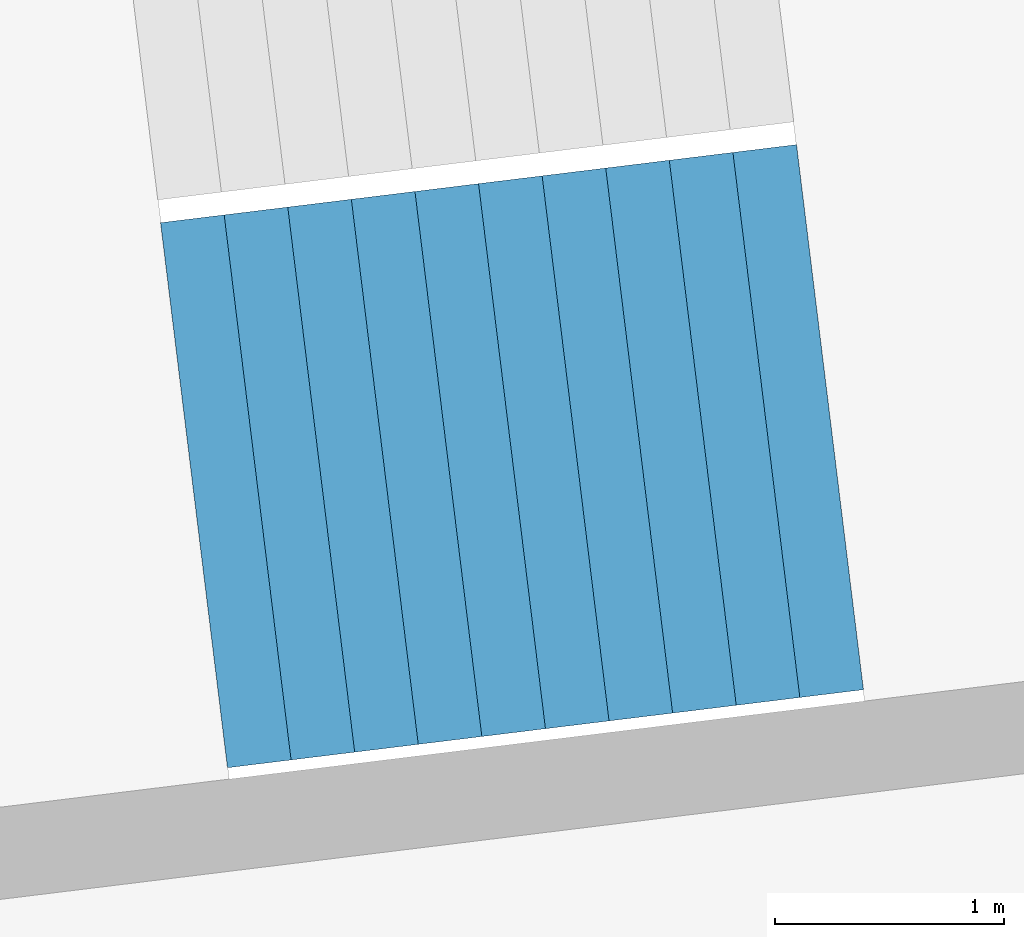
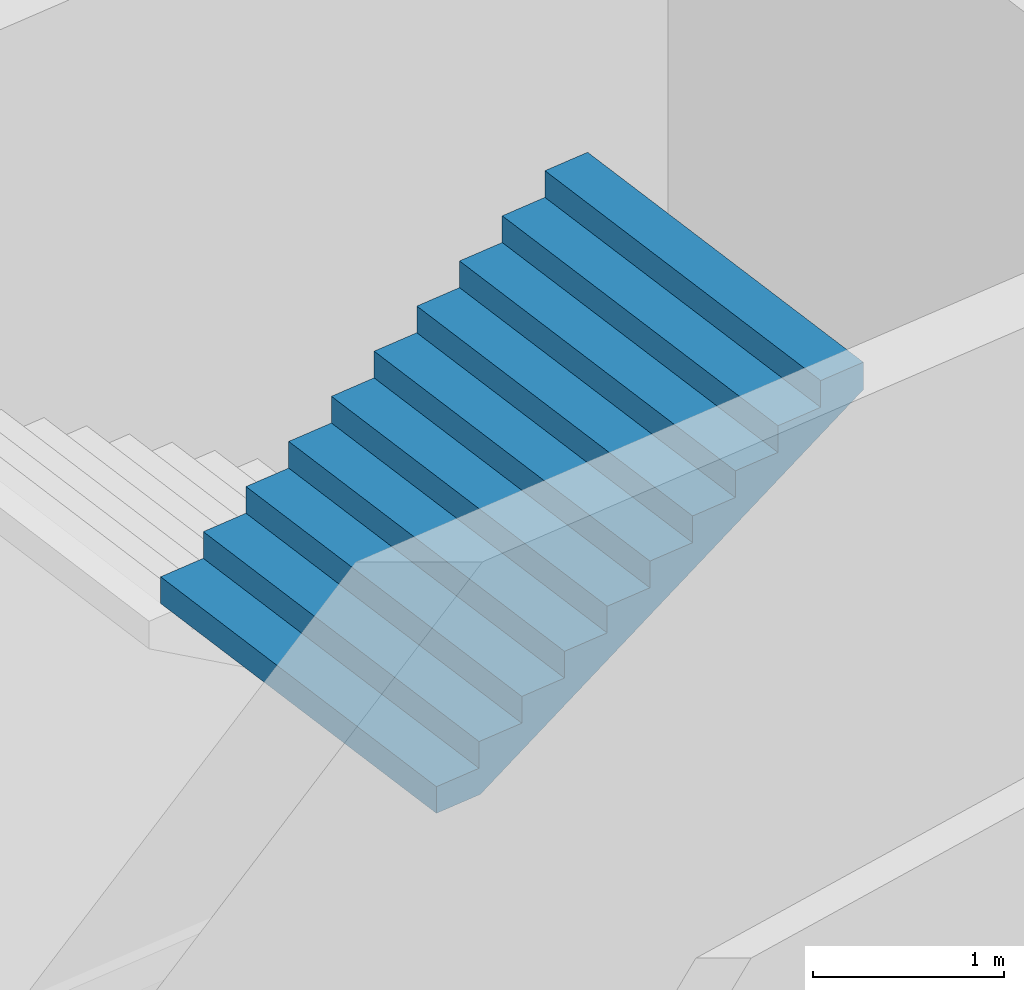
# One storey, part 23 of 73: 1 stair flight, 1 element without a shape of its own.
"""IFC4 building model written with IfcOpenShell, lengths in metres."""

from ifc_helpers import new_model, si_unit, direction, frame, origin, place, context, subcontext, project, spatial, triangles, material, type_object, element, aggregate, save


model = new_model("IFC4")

# Units and contexts
model_context = context("Model", 3, precision=1e-05, world=origin(), true_north=direction((0.0, 1.0)))
body_context = subcontext(model_context, "Body", "Model", "MODEL_VIEW")
ifc_project = project(units=[si_unit("LENGTHUNIT", "METRE"), si_unit("AREAUNIT", "SQUARE_METRE"), si_unit("VOLUMEUNIT", "CUBIC_METRE"), si_unit("PLANEANGLEUNIT", "RADIAN"), si_unit("MASSUNIT", "GRAM", prefix="KILO")], contexts=[model_context])

# Site, building, storey
site_placement = place(None, origin())
site = spatial("IfcSite", under=ifc_project, at=site_placement, CompositionType="ELEMENT")
building_placement = place(site_placement, origin())
building = spatial("IfcBuilding", under=site, at=building_placement, Name="Lantaw Convention Tower", CompositionType="ELEMENT")
storey_placement = place(building_placement, frame((0.0, 0.0, 14.5)))
storey = spatial("IfcBuildingStorey", under=building, at=storey_placement, Name="L02", CompositionType="ELEMENT", Elevation=14.5)

# Stair, stair flight
ifc_material = material(Name="Concrete C35/45", Category="concrete")
stair_type = type_object("IfcStairType", Name="Exit stair 2400 riser 170.45 in 4 flights", PredefinedType="HALF_TURN_STAIR", material=ifc_material)
stair_placement = place(storey_placement, origin())
stair = element("IfcStair", 1, at=stair_placement, inside=storey, type_object=stair_type, Name="Podium exit stair P10 L02", PredefinedType="HALF_TURN_STAIR")
stair_flight_type = type_object("IfcStairFlightType", Name="Stair flight 2400 riser 170.45", PredefinedType="STRAIGHT", material=ifc_material)
stair_flight_placement = place(storey_placement, frame((-37.63671875, -5.880615234375, 5.625), z_axis=(0.0, 0.0, 1.0), x_axis=(0.992546151641, 0.121869343405, 0.0)))
stair_flight = element("IfcStairFlight", 2, at=stair_flight_placement, type_object=stair_flight_type, Name="P10 flight 4", NumberOfRisers=11, NumberOfTreads=10, PredefinedType="STRAIGHT", RiserHeight=0.170454545, TreadLength=0.28, context=body_context, shape_type="Tessellation", body=[
    triangles([(0.0, 1.199951171875, 0.0), (0.0, 1.199951171875, 0.170454545), (0.28, 1.199951171875, 0.0), (0.28, 1.199951171875, 0.170454545), (0.28, 1.199951171875, 0.34090909), (0.28827876332691904, 1.199951171875, 0.0), (0.28827876332691904, 1.199951171875, 0.34090909), (0.56, 1.199951171875, 0.16541471344266906), (0.56, 1.199951171875, 0.34090909), (0.56, 1.199951171875, 0.511363635), (0.8400000000000001, 1.199951171875, 0.335869258442669), (0.8400000000000001, 1.199951171875, 0.511363635), (0.8400000000000001, 1.199951171875, 0.68181818), (1.12, 1.199951171875, 0.506323803442669), (1.12, 1.199951171875, 0.68181818), (1.12, 1.199951171875, 0.8522727250000001), (1.4000000000000001, 1.199951171875, 0.676778348442669), (1.4000000000000001, 1.199951171875, 0.8522727250000001), (1.4000000000000001, 1.199951171875, 1.02272727), (1.6800000000000002, 1.199951171875, 0.847232893442669), (1.6800000000000002, 1.199951171875, 1.02272727), (1.6800000000000002, 1.199951171875, 1.193181815), (1.9600000000000002, 1.199951171875, 1.017687438442669), (1.9600000000000002, 1.199951171875, 1.193181815), (1.9600000000000002, 1.199951171875, 1.36363636), (2.24, 1.199951171875, 1.188141983442669), (2.24, 1.199951171875, 1.36363636), (2.24, 1.199951171875, 1.5340909050000002), (2.5200000000000005, 1.199951171875, 1.358596528442669), (2.5200000000000005, 1.199951171875, 1.5340909050000002), (2.5200000000000005, 1.199951171875, 1.7045454500000001), (2.8000000000000003, 1.199951171875, 1.529051073442669), (2.8000000000000003, 1.199951171875, 1.7045454500000001), (0.0, -1.199951171875, 0.0), (0.0, -1.199951171875, 0.170454545), (0.28, -1.199951171875, 0.0), (0.28, -1.199951171875, 0.170454545), (0.28, -1.199951171875, 0.34090909), (0.28827876332691904, -1.199951171875, 0.0), (0.28827876332691904, -1.199951171875, 0.34090909), (0.56, -1.199951171875, 0.16541471344266906), (0.56, -1.199951171875, 0.34090909), (0.56, -1.199951171875, 0.511363635), (0.8400000000000001, -1.199951171875, 0.335869258442669), (0.8400000000000001, -1.199951171875, 0.511363635), (0.8400000000000001, -1.199951171875, 0.68181818), (1.12, -1.199951171875, 0.506323803442669), (1.12, -1.199951171875, 0.68181818), (1.12, -1.199951171875, 0.8522727250000001), (1.4000000000000001, -1.199951171875, 0.676778348442669), (1.4000000000000001, -1.199951171875, 0.8522727250000001), (1.4000000000000001, -1.199951171875, 1.02272727), (1.6800000000000002, -1.199951171875, 0.847232893442669), (1.6800000000000002, -1.199951171875, 1.02272727), (1.6800000000000002, -1.199951171875, 1.193181815), (1.9600000000000002, -1.199951171875, 1.017687438442669), (1.9600000000000002, -1.199951171875, 1.193181815), (1.9600000000000002, -1.199951171875, 1.36363636), (2.24, -1.199951171875, 1.188141983442669), (2.24, -1.199951171875, 1.36363636), (2.24, -1.199951171875, 1.5340909050000002), (2.5200000000000005, -1.199951171875, 1.358596528442669), (2.5200000000000005, -1.199951171875, 1.5340909050000002), (2.5200000000000005, -1.199951171875, 1.7045454500000001), (2.8000000000000003, -1.199951171875, 1.529051073442669), (2.8000000000000003, -1.199951171875, 1.7045454500000001), (0.0, 0.239990234375, 0.170454545), (0.0, 0.239990234375, 0.0), (0.0, 0.1199951171875, 0.170454545), (0.0, 0.1199951171875, 0.0), (0.0, 0.0, 0.170454545), (0.0, 0.0, 0.0), (0.0, -0.1199951171875, 0.170454545), (0.0, -0.1199951171875, 0.0), (0.0, -0.239990234375, 0.170454545), (0.0, -0.239990234375, 0.0), (0.28, 0.239990234375, 0.34090909), (0.28, 0.239990234375, 0.170454545), (0.28, 0.1199951171875, 0.34090909), (0.28, 0.1199951171875, 0.170454545), (0.28, 0.0, 0.34090909), (0.28, 0.0, 0.170454545), (0.28, -0.1199951171875, 0.34090909), (0.28, -0.1199951171875, 0.170454545), (0.28, -0.239990234375, 0.34090909), (0.28, -0.239990234375, 0.170454545), (0.56, 0.239990234375, 0.511363635), (0.56, 0.239990234375, 0.34090909), (0.56, 0.1199951171875, 0.511363635), (0.56, 0.1199951171875, 0.34090909), (0.56, 0.0, 0.511363635), (0.56, 0.0, 0.34090909), (0.56, -0.1199951171875, 0.511363635), (0.56, -0.1199951171875, 0.34090909), (0.56, -0.239990234375, 0.511363635), (0.56, -0.239990234375, 0.34090909), (0.8400000000000001, 0.239990234375, 0.68181818), (0.8400000000000001, 0.239990234375, 0.511363635), (0.8400000000000001, 0.1199951171875, 0.68181818), (0.8400000000000001, 0.1199951171875, 0.511363635), (0.8400000000000001, 0.0, 0.68181818), (0.8400000000000001, 0.0, 0.511363635), (0.8400000000000001, -0.1199951171875, 0.68181818), (0.8400000000000001, -0.1199951171875, 0.511363635), (0.8400000000000001, -0.239990234375, 0.68181818), (0.8400000000000001, -0.239990234375, 0.511363635), (1.12, 0.239990234375, 0.8522727250000001), (1.12, 0.239990234375, 0.68181818), (1.12, 0.1199951171875, 0.8522727250000001), (1.12, 0.1199951171875, 0.68181818), (1.12, 0.0, 0.8522727250000001), (1.12, 0.0, 0.68181818), (1.12, -0.1199951171875, 0.8522727250000001), (1.12, -0.1199951171875, 0.68181818), (1.12, -0.239990234375, 0.8522727250000001), (1.12, -0.239990234375, 0.68181818), (1.4000000000000001, 0.239990234375, 1.02272727), (1.4000000000000001, 0.239990234375, 0.8522727250000001), (1.4000000000000001, 0.1199951171875, 1.02272727), (1.4000000000000001, 0.1199951171875, 0.8522727250000001), (1.4000000000000001, 0.0, 1.02272727), (1.4000000000000001, 0.0, 0.8522727250000001), (1.4000000000000001, -0.1199951171875, 1.02272727), (1.4000000000000001, -0.1199951171875, 0.8522727250000001), (1.4000000000000001, -0.239990234375, 1.02272727), (1.4000000000000001, -0.239990234375, 0.8522727250000001), (1.6800000000000002, 0.239990234375, 1.193181815), (1.6800000000000002, 0.239990234375, 1.02272727), (1.6800000000000002, 0.1199951171875, 1.193181815), (1.6800000000000002, 0.1199951171875, 1.02272727), (1.6800000000000002, 0.0, 1.193181815), (1.6800000000000002, 0.0, 1.02272727), (1.6800000000000002, -0.1199951171875, 1.193181815), (1.6800000000000002, -0.1199951171875, 1.02272727), (1.6800000000000002, -0.239990234375, 1.193181815), (1.6800000000000002, -0.239990234375, 1.02272727), (1.9600000000000002, 0.239990234375, 1.36363636), (1.9600000000000002, 0.239990234375, 1.193181815), (1.9600000000000002, 0.1199951171875, 1.36363636), (1.9600000000000002, 0.1199951171875, 1.193181815), (1.9600000000000002, 0.0, 1.36363636), (1.9600000000000002, 0.0, 1.193181815), (1.9600000000000002, -0.1199951171875, 1.36363636), (1.9600000000000002, -0.1199951171875, 1.193181815), (1.9600000000000002, -0.239990234375, 1.36363636), (1.9600000000000002, -0.239990234375, 1.193181815), (2.24, 0.239990234375, 1.5340909050000002), (2.24, 0.239990234375, 1.36363636), (2.24, 0.1199951171875, 1.5340909050000002), (2.24, 0.1199951171875, 1.36363636), (2.24, 0.0, 1.5340909050000002), (2.24, 0.0, 1.36363636), (2.24, -0.1199951171875, 1.5340909050000002), (2.24, -0.1199951171875, 1.36363636), (2.24, -0.239990234375, 1.5340909050000002), (2.24, -0.239990234375, 1.36363636), (2.5200000000000005, 0.239990234375, 1.7045454500000001), (2.5200000000000005, 0.239990234375, 1.5340909050000002), (2.5200000000000005, 0.1199951171875, 1.7045454500000001), (2.5200000000000005, 0.1199951171875, 1.5340909050000002), (2.5200000000000005, 0.0, 1.7045454500000001), (2.5200000000000005, 0.0, 1.5340909050000002), (2.5200000000000005, -0.1199951171875, 1.7045454500000001), (2.5200000000000005, -0.1199951171875, 1.5340909050000002), (2.5200000000000005, -0.239990234375, 1.7045454500000001), (2.5200000000000005, -0.239990234375, 1.5340909050000002), (0.28827876332691904, 0.239990234375, 0.34090909), (0.28827876332691904, 0.1199951171875, 0.34090909), (0.28827876332691904, 0.0, 0.34090909), (0.28827876332691904, -0.1199951171875, 0.34090909), (0.28827876332691904, -0.239990234375, 0.34090909), (2.8000000000000003, 0.239990234375, 1.7045454500000001), (2.8000000000000003, 0.1199951171875, 1.7045454500000001), (2.8000000000000003, 0.0, 1.7045454500000001), (2.8000000000000003, -0.1199951171875, 1.7045454500000001), (2.8000000000000003, -0.239990234375, 1.7045454500000001), (2.8000000000000003, 0.239990234375, 1.5290510734426692), (2.8000000000000003, 0.1199951171875, 1.5290510734426692), (2.8000000000000003, 0.0, 1.5290510734426692), (2.8000000000000003, -0.1199951171875, 1.5290510734426692), (2.8000000000000003, -0.239990234375, 1.5290510734426692), (2.5200000000000005, 0.239990234375, 1.358596528442669), (2.5200000000000005, 0.1199951171875, 1.358596528442669), (2.5200000000000005, 0.0, 1.358596528442669), (2.5200000000000005, -0.1199951171875, 1.358596528442669), (2.5200000000000005, -0.239990234375, 1.358596528442669), (2.24, 0.239990234375, 1.188141983442669), (2.24, 0.1199951171875, 1.188141983442669), (2.24, 0.0, 1.188141983442669), (2.24, -0.1199951171875, 1.188141983442669), (2.24, -0.239990234375, 1.188141983442669), (1.9600000000000002, 0.239990234375, 1.017687438442669), (1.9600000000000002, 0.1199951171875, 1.017687438442669), (1.9600000000000002, 0.0, 1.017687438442669), (1.9600000000000002, -0.1199951171875, 1.017687438442669), (1.9600000000000002, -0.239990234375, 1.017687438442669), (1.6800000000000002, 0.239990234375, 0.847232893442669), (1.6800000000000002, 0.1199951171875, 0.847232893442669), (1.6800000000000002, 0.0, 0.847232893442669), (1.6800000000000002, -0.1199951171875, 0.847232893442669), (1.6800000000000002, -0.239990234375, 0.847232893442669), (1.4000000000000001, 0.239990234375, 0.676778348442669), (1.4000000000000001, 0.1199951171875, 0.676778348442669), (1.4000000000000001, 0.0, 0.676778348442669), (1.4000000000000001, -0.1199951171875, 0.676778348442669), (1.4000000000000001, -0.239990234375, 0.676778348442669), (1.12, 0.239990234375, 0.506323803442669), (1.12, 0.1199951171875, 0.506323803442669), (1.12, 0.0, 0.506323803442669), (1.12, -0.1199951171875, 0.506323803442669), (1.12, -0.239990234375, 0.506323803442669), (0.8400000000000001, 0.239990234375, 0.335869258442669), (0.8400000000000001, 0.1199951171875, 0.335869258442669), (0.8400000000000001, 0.0, 0.335869258442669), (0.8400000000000001, -0.1199951171875, 0.335869258442669), (0.8400000000000001, -0.239990234375, 0.335869258442669), (0.56, 0.239990234375, 0.16541471344266906), (0.56, 0.1199951171875, 0.16541471344266906), (0.56, 0.0, 0.16541471344266906), (0.56, -0.1199951171875, 0.16541471344266906), (0.56, -0.239990234375, 0.16541471344266906), (0.28827876332691904, 0.239990234375, 0.0), (0.28827876332691904, 0.1199951171875, 0.0), (0.28827876332691904, 0.0, 0.0), (0.28827876332691904, -0.1199951171875, 0.0), (0.28827876332691904, -0.239990234375, 0.0), (0.28, 0.239990234375, 0.0), (0.28, 0.1199951171875, 0.0), (0.28, 0.0, 0.0), (0.28, -0.1199951171875, 0.0), (0.28, -0.239990234375, 0.0)], [[1, 4, 3], [1, 2, 4], [3, 4, 6], [4, 7, 6], [4, 5, 7], [6, 9, 8], [6, 7, 9], [8, 9, 11], [9, 12, 11], [9, 10, 12], [11, 12, 14], [12, 15, 14], [12, 13, 15], [14, 15, 17], [15, 18, 17], [15, 16, 18], [17, 18, 20], [18, 21, 20], [18, 19, 21], [20, 21, 23], [21, 24, 23], [21, 22, 24], [23, 24, 26], [24, 27, 26], [24, 25, 27], [26, 27, 29], [27, 30, 29], [27, 28, 30], [29, 30, 32], [30, 33, 32], [30, 31, 33], [34, 36, 37], [34, 37, 35], [36, 39, 37], [37, 39, 40], [37, 40, 38], [39, 41, 42], [39, 42, 40], [41, 44, 42], [42, 44, 45], [42, 45, 43], [44, 47, 45], [45, 47, 48], [45, 48, 46], [47, 50, 48], [48, 50, 51], [48, 51, 49], [50, 53, 51], [51, 53, 54], [51, 54, 52], [53, 56, 54], [54, 56, 57], [54, 57, 55], [56, 59, 57], [57, 59, 60], [57, 60, 58], [59, 62, 60], [60, 62, 63], [60, 63, 61], [62, 65, 63], [63, 65, 66], [63, 66, 64], [1, 67, 2], [1, 68, 67], [68, 69, 67], [68, 70, 69], [70, 71, 69], [70, 72, 71], [72, 73, 71], [72, 74, 73], [74, 75, 73], [74, 76, 75], [76, 35, 75], [76, 34, 35], [4, 77, 5], [4, 78, 77], [78, 79, 77], [78, 80, 79], [80, 81, 79], [80, 82, 81], [82, 83, 81], [82, 84, 83], [84, 85, 83], [84, 86, 85], [86, 38, 85], [86, 37, 38], [9, 87, 10], [9, 88, 87], [88, 89, 87], [88, 90, 89], [90, 91, 89], [90, 92, 91], [92, 93, 91], [92, 94, 93], [94, 95, 93], [94, 96, 95], [96, 43, 95], [96, 42, 43], [12, 97, 13], [12, 98, 97], [98, 99, 97], [98, 100, 99], [100, 101, 99], [100, 102, 101], [102, 103, 101], [102, 104, 103], [104, 105, 103], [104, 106, 105], [106, 46, 105], [106, 45, 46], [15, 107, 16], [15, 108, 107], [108, 109, 107], [108, 110, 109], [110, 111, 109], [110, 112, 111], [112, 113, 111], [112, 114, 113], [114, 115, 113], [114, 116, 115], [116, 49, 115], [116, 48, 49], [18, 117, 19], [18, 118, 117], [118, 119, 117], [118, 120, 119], [120, 121, 119], [120, 122, 121], [122, 123, 121], [122, 124, 123], [124, 125, 123], [124, 126, 125], [126, 52, 125], [126, 51, 52], [21, 127, 22], [21, 128, 127], [128, 129, 127], [128, 130, 129], [130, 131, 129], [130, 132, 131], [132, 133, 131], [132, 134, 133], [134, 135, 133], [134, 136, 135], [136, 55, 135], [136, 54, 55], [24, 137, 25], [24, 138, 137], [138, 139, 137], [138, 140, 139], [140, 141, 139], [140, 142, 141], [142, 143, 141], [142, 144, 143], [144, 145, 143], [144, 146, 145], [146, 58, 145], [146, 57, 58], [27, 147, 28], [27, 148, 147], [148, 149, 147], [148, 150, 149], [150, 151, 149], [150, 152, 151], [152, 153, 151], [152, 154, 153], [154, 155, 153], [154, 156, 155], [156, 61, 155], [156, 60, 61], [30, 157, 31], [30, 158, 157], [158, 159, 157], [158, 160, 159], [160, 161, 159], [160, 162, 161], [162, 163, 161], [162, 164, 163], [164, 165, 163], [164, 166, 165], [166, 64, 165], [166, 63, 64], [2, 78, 4], [2, 67, 78], [67, 80, 78], [67, 69, 80], [69, 82, 80], [69, 71, 82], [71, 84, 82], [71, 73, 84], [73, 86, 84], [73, 75, 86], [75, 37, 86], [75, 35, 37], [5, 167, 7], [5, 77, 167], [77, 168, 167], [77, 79, 168], [79, 169, 168], [79, 81, 169], [81, 170, 169], [81, 83, 170], [83, 171, 170], [83, 85, 171], [85, 40, 171], [85, 38, 40], [7, 88, 9], [7, 167, 88], [167, 90, 88], [167, 168, 90], [168, 92, 90], [168, 169, 92], [169, 94, 92], [169, 170, 94], [170, 96, 94], [170, 171, 96], [171, 42, 96], [171, 40, 42], [10, 98, 12], [10, 87, 98], [87, 100, 98], [87, 89, 100], [89, 102, 100], [89, 91, 102], [91, 104, 102], [91, 93, 104], [93, 106, 104], [93, 95, 106], [95, 45, 106], [95, 43, 45], [13, 108, 15], [13, 97, 108], [97, 110, 108], [97, 99, 110], [99, 112, 110], [99, 101, 112], [101, 114, 112], [101, 103, 114], [103, 116, 114], [103, 105, 116], [105, 48, 116], [105, 46, 48], [16, 118, 18], [16, 107, 118], [107, 120, 118], [107, 109, 120], [109, 122, 120], [109, 111, 122], [111, 124, 122], [111, 113, 124], [113, 126, 124], [113, 115, 126], [115, 51, 126], [115, 49, 51], [19, 128, 21], [19, 117, 128], [117, 130, 128], [117, 119, 130], [119, 132, 130], [119, 121, 132], [121, 134, 132], [121, 123, 134], [123, 136, 134], [123, 125, 136], [125, 54, 136], [125, 52, 54], [22, 138, 24], [22, 127, 138], [127, 140, 138], [127, 129, 140], [129, 142, 140], [129, 131, 142], [131, 144, 142], [131, 133, 144], [133, 146, 144], [133, 135, 146], [135, 57, 146], [135, 55, 57], [25, 148, 27], [25, 137, 148], [137, 150, 148], [137, 139, 150], [139, 152, 150], [139, 141, 152], [141, 154, 152], [141, 143, 154], [143, 156, 154], [143, 145, 156], [145, 60, 156], [145, 58, 60], [28, 158, 30], [28, 147, 158], [147, 160, 158], [147, 149, 160], [149, 162, 160], [149, 151, 162], [151, 164, 162], [151, 153, 164], [153, 166, 164], [153, 155, 166], [155, 63, 166], [155, 61, 63], [31, 172, 33], [31, 157, 172], [157, 173, 172], [157, 159, 173], [159, 174, 173], [159, 161, 174], [161, 175, 174], [161, 163, 175], [163, 176, 175], [163, 165, 176], [165, 66, 176], [165, 64, 66], [33, 177, 32], [33, 172, 177], [172, 178, 177], [172, 173, 178], [173, 179, 178], [173, 174, 179], [174, 180, 179], [174, 175, 180], [175, 181, 180], [175, 176, 181], [176, 65, 181], [176, 66, 65], [32, 182, 29], [32, 177, 182], [177, 183, 182], [177, 178, 183], [178, 184, 183], [178, 179, 184], [179, 185, 184], [179, 180, 185], [180, 186, 185], [180, 181, 186], [181, 62, 186], [181, 65, 62], [29, 187, 26], [29, 182, 187], [182, 188, 187], [182, 183, 188], [183, 189, 188], [183, 184, 189], [184, 190, 189], [184, 185, 190], [185, 191, 190], [185, 186, 191], [186, 59, 191], [186, 62, 59], [26, 192, 23], [26, 187, 192], [187, 193, 192], [187, 188, 193], [188, 194, 193], [188, 189, 194], [189, 195, 194], [189, 190, 195], [190, 196, 195], [190, 191, 196], [191, 56, 196], [191, 59, 56], [23, 197, 20], [23, 192, 197], [192, 198, 197], [192, 193, 198], [193, 199, 198], [193, 194, 199], [194, 200, 199], [194, 195, 200], [195, 201, 200], [195, 196, 201], [196, 53, 201], [196, 56, 53], [20, 202, 17], [20, 197, 202], [197, 203, 202], [197, 198, 203], [198, 204, 203], [198, 199, 204], [199, 205, 204], [199, 200, 205], [200, 206, 205], [200, 201, 206], [201, 50, 206], [201, 53, 50], [17, 207, 14], [17, 202, 207], [202, 208, 207], [202, 203, 208], [203, 209, 208], [203, 204, 209], [204, 210, 209], [204, 205, 210], [205, 211, 210], [205, 206, 211], [206, 47, 211], [206, 50, 47], [14, 212, 11], [14, 207, 212], [207, 213, 212], [207, 208, 213], [208, 214, 213], [208, 209, 214], [209, 215, 214], [209, 210, 215], [210, 216, 215], [210, 211, 216], [211, 44, 216], [211, 47, 44], [11, 217, 8], [11, 212, 217], [212, 218, 217], [212, 213, 218], [213, 219, 218], [213, 214, 219], [214, 220, 219], [214, 215, 220], [215, 221, 220], [215, 216, 221], [216, 41, 221], [216, 44, 41], [8, 222, 6], [8, 217, 222], [217, 223, 222], [217, 218, 223], [218, 224, 223], [218, 219, 224], [219, 225, 224], [219, 220, 225], [220, 226, 225], [220, 221, 226], [221, 39, 226], [221, 41, 39], [6, 227, 3], [6, 222, 227], [222, 228, 227], [222, 223, 228], [223, 229, 228], [223, 224, 229], [224, 230, 229], [224, 225, 230], [225, 231, 230], [225, 226, 231], [226, 36, 231], [226, 39, 36], [3, 68, 1], [3, 227, 68], [227, 70, 68], [227, 228, 70], [228, 72, 70], [228, 229, 72], [229, 74, 72], [229, 230, 74], [230, 76, 74], [230, 231, 76], [231, 34, 76], [231, 36, 34]], closed=True),
])
aggregate(stair, [stair_flight])

save(model, "model.ifc")
